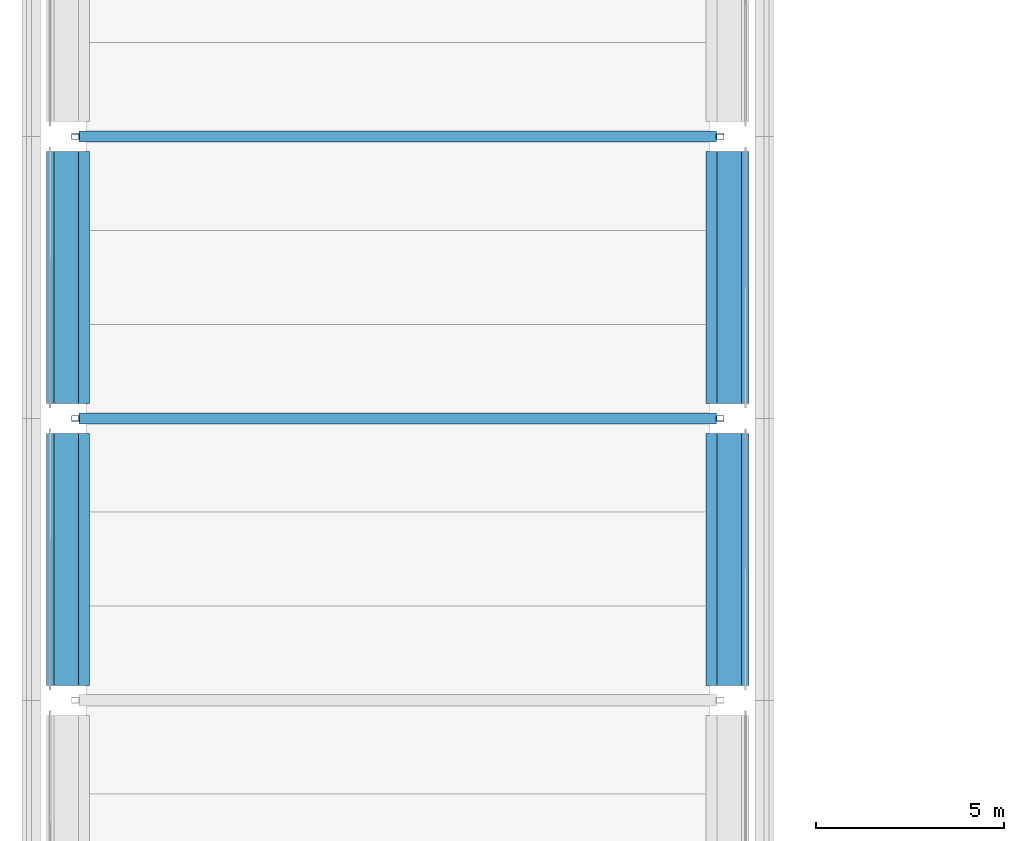
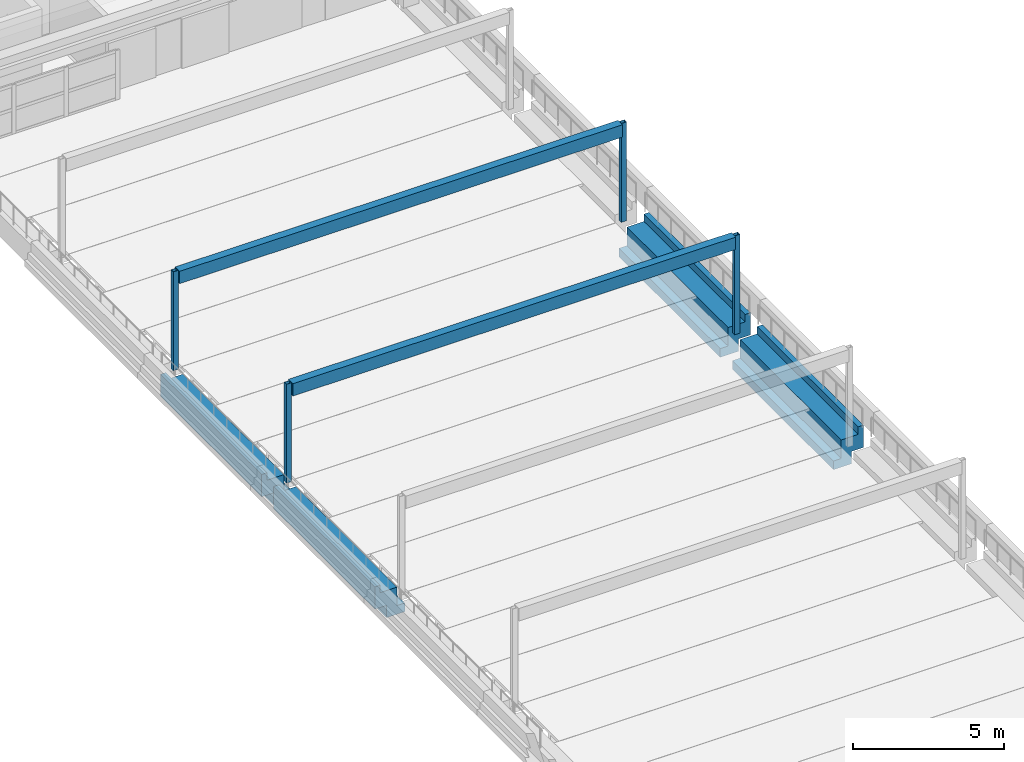
# One storey, part 19 of 62: 6 beams, 4 members.
"""IFC4 building model written with IfcOpenShell, lengths in metres."""

from ifc_helpers import new_model, si_unit, direction, frame, origin, origin_2d, place, context, subcontext, project, spatial, polyline, hollow_rectangle, outline, extrude, material, material_profile, profile_set, type_object, element, save


model = new_model("IFC4")

# Units and contexts
model_context = context("Model", 3, precision=1e-05, world=origin(), true_north=direction((0.0, 1.0)))
body_context = subcontext(model_context, "Body", "Model", "MODEL_VIEW")
ifc_project = project(units=[si_unit("LENGTHUNIT", "METRE"), si_unit("AREAUNIT", "SQUARE_METRE"), si_unit("VOLUMEUNIT", "CUBIC_METRE"), si_unit("PLANEANGLEUNIT", "RADIAN"), si_unit("MASSUNIT", "GRAM", prefix="KILO")], contexts=[model_context])

# Site, building, storey
site_placement = place(None, origin())
site = spatial("IfcSite", under=ifc_project, at=site_placement, CompositionType="ELEMENT")
building_placement = place(site_placement, origin())
building = spatial("IfcBuilding", under=site, at=building_placement, Name="Cour d'Honneur Mobility Palace", CompositionType="ELEMENT")
storey_placement = place(building_placement, frame((0.0, 0.0, 19.300048828125)))
storey = spatial("IfcBuildingStorey", under=building, at=storey_placement, Name="L05", CompositionType="ELEMENT", Elevation=19.300048828125)

# Beams
ifc_material_1 = material(Name="Concrete C45", Category="concrete")
ifc_material_profile_1 = material_profile(ifc_material_1, outline(polyline([(0.5, -1.10009765625), (0.5, -0.75), (0.199951171875, -0.75), (0.199951171875, 0.0), (-0.199951171875, 0.0), (-0.449951171875, 0.0), (-0.449951171875, 0.300048828125), (-0.64990234375, 0.300048828125), (-0.64990234375, -0.60009765625), (-0.199951171875, -0.60009765625), (-0.199951171875, -1.10009765625), (0.5, -1.10009765625)])), Name="Ledger Beam 400x1100 ledge left 350 facade right")
ifc_profile_set_1 = profile_set([ifc_material_profile_1], Name="Concrete C45")
beam_type_1 = type_object("IfcBeamType", Name="Ledger Beam 400x1100 ledge left 350 facade right", PredefinedType="BEAM", material=ifc_profile_set_1)
for number, where, z_axis, x_axis, name in (
    (1, (17.39990234375, 77.800048828125, 0.0), (0.0, 1.0, 0.0), (-1.0, 0.0, 0.0), "Precast beam B2 K-L L05"),
    (2, (17.39990234375, 85.300048828125, 0.0), (0.0, 1.0, 0.0), (-1.0, 0.0, 0.0), "Precast beam B2 L-M L05"),
):
    element("IfcBeam", number, at=place(storey_placement, frame(where, z_axis=z_axis, x_axis=x_axis)), inside=storey, type_object=beam_type_1, Name=name, PredefinedType="BEAM", context=body_context, shape_type="SweptSolid", body=[
        extrude(outline(polyline([(0.5, -1.10009765625), (0.5, -0.75), (0.199951171875, -0.75), (0.199951171875, 0.0), (-0.199951171875, 0.0), (-0.449951171875, 0.0), (-0.449951171875, 0.300048828125), (-0.64990234375, 0.300048828125), (-0.64990234375, -0.60009765625), (-0.199951171875, -0.60009765625), (-0.199951171875, -1.10009765625), (0.5, -1.10009765625)])), origin(), (0.0, 0.0, 1.0), 6.699951171875),
    ])
ifc_material_2 = material(Name="Concrete C45", Category="concrete")
ifc_material_profile_2 = material_profile(ifc_material_2, outline(polyline([(0.199951171875, -1.10009765625), (0.199951171875, -0.60009765625), (0.64990234375, -0.60009765625), (0.64990234375, 0.300048828125), (0.449951171875, 0.300048828125), (0.449951171875, 0.0), (0.199951171875, 0.0), (-0.199951171875, 0.0), (-0.199951171875, -0.75), (-0.5, -0.75), (-0.5, -1.10009765625), (0.199951171875, -1.10009765625)])), Name="Ledger Beam 400x1100 ledge right 350 facade left")
ifc_profile_set_2 = profile_set([ifc_material_profile_2], Name="Concrete C45")
beam_type_2 = type_object("IfcBeamType", Name="Ledger Beam 400x1100 ledge right 350 facade left", PredefinedType="BEAM", material=ifc_profile_set_2)
for number, where, z_axis, x_axis, name in (
    (3, (0.0, 77.800048828125, 0.0), (0.0, 1.0, 0.0), (-1.0, 0.0, 0.0), "Precast beam B4 K-L L05"),
    (4, (0.0, 85.300048828125, 0.0), (0.0, 1.0, 0.0), (-1.0, 0.0, 0.0), "Precast beam B4 L-M L05"),
):
    element("IfcBeam", number, at=place(storey_placement, frame(where, z_axis=z_axis, x_axis=x_axis)), inside=storey, type_object=beam_type_2, Name=name, PredefinedType="BEAM", context=body_context, shape_type="SweptSolid", body=[
        extrude(outline(polyline([(0.199951171875, -1.10009765625), (0.199951171875, -0.60009765625), (0.64990234375, -0.60009765625), (0.64990234375, 0.300048828125), (0.449951171875, 0.300048828125), (0.449951171875, 0.0), (0.199951171875, 0.0), (-0.199951171875, 0.0), (-0.199951171875, -0.75), (-0.5, -0.75), (-0.5, -1.10009765625), (0.199951171875, -1.10009765625)])), origin(), (0.0, 0.0, 1.0), 6.699951171875),
    ])

# Members
ifc_material_3 = material(Name="Steel S355", Category="steel")
ifc_material_profile_3 = material_profile(ifc_material_3, hollow_rectangle(XDim=0.14990234375, YDim=0.199951171875, WallThickness=0.008056640625, at=origin_2d()), Name="RHS 200x150x8")
ifc_profile_set_3 = profile_set([ifc_material_profile_3], Name="Steel S355")
member_type = type_object("IfcMemberType", Name="Terrace post RHS 200x150x8", PredefinedType="POST", material=ifc_profile_set_3)
for number, where, z_axis, x_axis, name in (
    (5, (0.125, 84.89990234375, 0.0), (0.0, 0.0, 1.0), (0.0, 1.0, 0.0), "Terrace post TP-C3W"),
    (6, (17.27490234375, 84.89990234375, 0.0), (0.0, 0.0, 1.0), (0.0, 1.0, 0.0), "Terrace post TP-C3E"),
    (7, (0.125, 92.39990234375, 0.0), (0.0, 0.0, 1.0), (0.0, 1.0, 0.0), "Terrace post TP-C4W"),
    (8, (17.27490234375, 92.39990234375, 0.0), (0.0, 0.0, 1.0), (0.0, 1.0, 0.0), "Terrace post TP-C4E"),
):
    element("IfcMember", number, at=place(storey_placement, frame(where, z_axis=z_axis, x_axis=x_axis)), inside=storey, type_object=member_type, Name=name, PredefinedType="POST", context=body_context, shape_type="SweptSolid", body=[
        extrude(hollow_rectangle(XDim=0.14990234375, YDim=0.199951171875, WallThickness=0.008056640625, at=origin_2d()), origin(), (0.0, 0.0, 1.0), 4.0),
    ])

# Beams
ifc_material_4 = material(Name="Steel S355", Category="steel")
ifc_material_profile_4 = material_profile(ifc_material_4, hollow_rectangle(XDim=0.300048828125, YDim=0.5, WallThickness=0.01611328125, at=origin_2d()), Name="RHS 500x300x16")
ifc_profile_set_4 = profile_set([ifc_material_profile_4], Name="Steel S355")
beam_type_3 = type_object("IfcBeamType", Name="Terrace tie beam RHS 500x300x16", PredefinedType="BEAM", material=ifc_profile_set_4)
for number, where, z_axis, x_axis, name in (
    (9, (0.22509765625, 84.89990234375, 3.75), (1.0, 0.0, 0.0), (0.0, 1.0, 0.0), "Terrace tie beam TT-C3"),
    (10, (0.22509765625, 92.39990234375, 3.75), (1.0, 0.0, 0.0), (0.0, 1.0, 0.0), "Terrace tie beam TT-C4"),
):
    element("IfcBeam", number, at=place(storey_placement, frame(where, z_axis=z_axis, x_axis=x_axis)), inside=storey, type_object=beam_type_3, Name=name, PredefinedType="BEAM", context=body_context, shape_type="SweptSolid", body=[
        extrude(hollow_rectangle(XDim=0.300048828125, YDim=0.5, WallThickness=0.01611328125, at=origin_2d()), origin(), (0.0, 0.0, 1.0), 16.949951171875),
    ])

save(model, "model.ifc")
